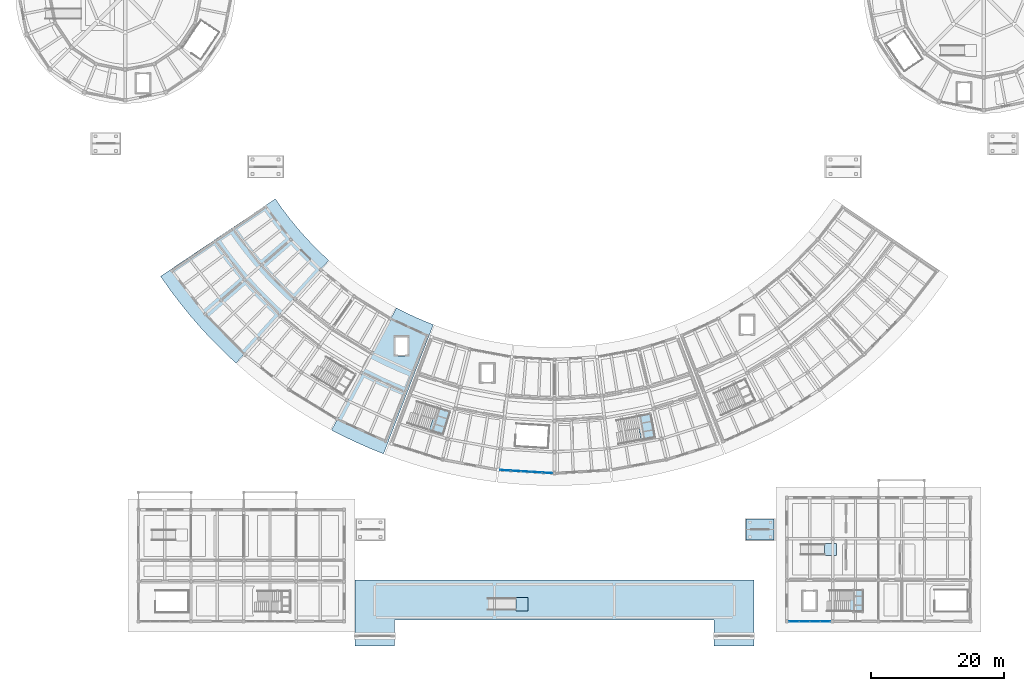
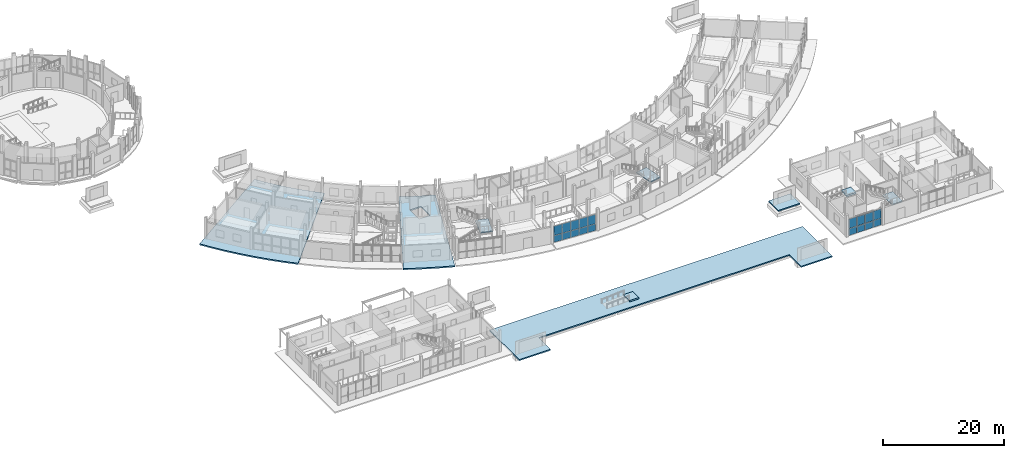
# One storey, part 51 of 92: 18 plates, 9 slabs, 5 elements without a shape of their own.
"""IFC4 building model written with IfcOpenShell, lengths in metres."""

import ifcopenshell
import ifcopenshell.guid

model = None  # the IFC model being written
_history = None  # IfcOwnerHistory: only IFC2X3 demands one
_inside = {}  # id of a spatial element -> (the spatial element, [elements in it])
_under = {}  # id of a project, library or spatial element -> (it, [spatial elements below it])
_declared = {}  # id of a project -> (the project, [libraries it declares])
_typed = {}  # id of a type object -> (the type object, [elements of that type])
_made_of = {}  # id of a material, layer set ... -> (it, [elements and type objects made of it])


def new_model(schema):
    """Start an empty IFC model of exactly this schema.

    Asked for "IFC4X3", IfcOpenShell would pick the latest addendum, in which some entities
    have other attributes; the version numbers below select the first issue.
    IFC2X3 requires an IfcOwnerHistory on every rooted entity: one is made here for all.
    """
    global model, _history
    if schema == "IFC4X3":
        model = ifcopenshell.file(schema_version=(4, 3, 0, 0))
    else:
        model = ifcopenshell.file(schema=schema)
    _inside.clear()
    _under.clear()
    _declared.clear()
    _typed.clear()
    _made_of.clear()
    _history = None
    if model.schema == "IFC2X3":
        org = make("IfcOrganization", Name="unknown")
        user = make(
            "IfcPersonAndOrganization",
            ThePerson=make("IfcPerson", FamilyName="unknown"),
            TheOrganization=org,
        )
        app = make(
            "IfcApplication",
            ApplicationDeveloper=org,
            Version="unknown",
            ApplicationFullName="unknown",
            ApplicationIdentifier="unknown",
        )
        _history = make(
            "IfcOwnerHistory",
            OwningUser=user,
            OwningApplication=app,
            ChangeAction="ADDED",
            CreationDate=0,
        )
    return model


def make(cls, **values):
    """One entity of the class cls with the attributes given. An attribute that is None is left unset."""
    return model.create_entity(
        cls, **{name: value for name, value in values.items() if value is not None}
    )


def rooted(cls, **values):
    """An entity with a GlobalId (a new one), such as an element, a storey or a relation."""
    return make(cls, GlobalId=ifcopenshell.guid.new(), OwnerHistory=_history, **values)


def si_unit(unit_type, name, prefix=None):
    """IfcSIUnit, for example si_unit("LENGTHUNIT", "METRE", prefix="MILLI")."""
    return make("IfcSIUnit", UnitType=unit_type, Prefix=prefix, Name=name)


def assignment(units):
    """IfcUnitAssignment: the units of a project."""
    return None if units is None else make("IfcUnitAssignment", Units=units)


def point(xyz):
    """IfcCartesianPoint."""
    return None if xyz is None else make("IfcCartesianPoint", Coordinates=xyz)


def direction(xyz):
    """IfcDirection."""
    return None if xyz is None else make("IfcDirection", DirectionRatios=xyz)


def frame(location, z_axis=None, x_axis=None):
    """IfcAxis2Placement3D, a coordinate frame: its origin and axes. An axis left out is left unset."""
    return make(
        "IfcAxis2Placement3D",
        Location=point(location),
        Axis=direction(z_axis),
        RefDirection=direction(x_axis),
    )


def frame_2d(location, x_axis=None):
    """IfcAxis2Placement2D, a coordinate frame in the plane: its origin and x axis."""
    return make(
        "IfcAxis2Placement2D", Location=point(location), RefDirection=direction(x_axis)
    )


def origin():
    """The frame at (0, 0, 0) with its axes left unset."""
    return frame((0.0, 0.0, 0.0))


def origin_2d():
    """The frame at (0, 0) in the plane with its x axis left unset."""
    return frame_2d((0.0, 0.0))


def place(relative_to, where):
    """IfcLocalPlacement: puts the frame where relative to a parent placement (None: the world)."""
    return make(
        "IfcLocalPlacement", PlacementRelTo=relative_to, RelativePlacement=where
    )


def context(
    kind, dimensions, precision=None, world=None, true_north=None, identifier=None
):
    """IfcGeometricRepresentationContext, for example the 3D "Model" context."""
    return make(
        "IfcGeometricRepresentationContext",
        ContextIdentifier=identifier,
        ContextType=kind,
        CoordinateSpaceDimension=dimensions,
        Precision=precision,
        WorldCoordinateSystem=world,
        TrueNorth=true_north,
    )


def subcontext(parent, identifier, kind, view, scale=None):
    """IfcGeometricRepresentationSubContext, for example "Body" below "Model"."""
    return make(
        "IfcGeometricRepresentationSubContext",
        ContextIdentifier=identifier,
        ContextType=kind,
        ParentContext=parent,
        TargetScale=scale,
        TargetView=view,
    )


def project(units=None, contexts=None):
    """IfcProject with its units and contexts."""
    return rooted(
        "IfcProject",
        Name="project",
        RepresentationContexts=contexts,
        UnitsInContext=assignment(units),
    )


def spatial(cls, under=None, at=None, **own):
    """A site, building, storey or space (cls), placed at a placement, below another one or the project."""
    s = rooted(cls, ObjectPlacement=at, **own)
    if under is not None:
        _under.setdefault(under.id(), (under, []))[1].append(s)
    return s


def polyline(points):
    """IfcPolyline through the points."""
    return make("IfcPolyline", Points=[point(p) for p in points])


def profile(cls, at=None, kind="AREA", **sizes):
    """A parametric profile (cls). Its sizes go by their IFC names, for example OverallWidth=200.0."""
    return make(cls, ProfileType=kind, Position=at, **sizes)


def rectangle(**sizes):
    """IfcRectangleProfileDef."""
    return profile("IfcRectangleProfileDef", **sizes)


def outline(outer, holes=None, kind="AREA"):
    """IfcArbitraryClosedProfileDef: a profile drawn as a closed curve; with holes, ...WithVoids."""
    if holes is None:
        return make("IfcArbitraryClosedProfileDef", ProfileType=kind, OuterCurve=outer)
    return make(
        "IfcArbitraryProfileDefWithVoids",
        ProfileType=kind,
        OuterCurve=outer,
        InnerCurves=holes,
    )


def extrude(swept, where, along, depth):
    """IfcExtrudedAreaSolid: the profile swept, set in the frame where, extruded along a direction by depth."""
    return make(
        "IfcExtrudedAreaSolid",
        SweptArea=swept,
        Position=where,
        ExtrudedDirection=direction(along),
        Depth=depth,
    )


def shape(context_of_items, identifier, shape_type, items):
    """IfcShapeRepresentation: the items that make up one representation, for example the "Body"."""
    return make(
        "IfcShapeRepresentation",
        ContextOfItems=context_of_items,
        RepresentationIdentifier=identifier,
        RepresentationType=shape_type,
        Items=items,
    )


def material(Name=None, Category=None):
    """IfcMaterial."""
    return make("IfcMaterial", Name=Name, Category=Category)


def layer(
    of_material, thickness, ventilated=None, Name=None, Category=None, Priority=None
):
    """IfcMaterialLayer: one layer of a wall or slab, of a material (None: an air gap)."""
    return make(
        "IfcMaterialLayer",
        Material=of_material,
        LayerThickness=thickness,
        IsVentilated=ventilated,
        Name=Name,
        Category=Category,
        Priority=Priority,
    )


def layer_set(layers, Name=None):
    """IfcMaterialLayerSet."""
    return make("IfcMaterialLayerSet", MaterialLayers=layers, LayerSetName=Name)


def made_of(thing, what):
    """Note that an element or type object is made of a material, layer set ...; save() writes the relation."""
    if what is not None:
        _made_of.setdefault(what.id(), (what, []))[1].append(thing)
    return thing


def type_object(cls, material=None, **own):
    """A type object (cls), such as IfcWallType, which elements share."""
    return made_of(rooted(cls, **own), material)


def element(
    cls,
    number,
    at=None,
    inside=None,
    cuts=None,
    type_object=None,
    material=None,
    context=None,
    identifier="Body",
    shape_type=None,
    held_by="IfcProductDefinitionShape",
    body=None,
    shapes=None,
    **own,
):
    """One element of the class cls, such as IfcWall. Its Tag is "e" and its number.

    at: its placement. inside: the storey or other place that contains it. cuts: it is an
    opening in that element (IfcRelVoidsElement). A single representation is given by context,
    identifier, shape_type and body (its items); several are given by shapes. held_by: the class
    of the entity that holds the representations. save() writes the other relations.
    """
    e = rooted(cls, Tag="e%d" % number, ObjectPlacement=at, **own)
    if body is not None:
        shapes = [shape(context, identifier, shape_type, body)]
    if shapes is not None:
        e.Representation = make(held_by, Representations=shapes)
    if inside is not None:
        _inside.setdefault(inside.id(), (inside, []))[1].append(e)
    if cuts is not None:
        rooted(
            "IfcRelVoidsElement", RelatingBuildingElement=cuts, RelatedOpeningElement=e
        )
    if type_object is not None:
        _typed.setdefault(type_object.id(), (type_object, []))[1].append(e)
    return made_of(e, material)


def aggregate(whole, parts):
    """IfcRelAggregates: a whole, such as a stair, and the parts it consists of."""
    return rooted("IfcRelAggregates", RelatingObject=whole, RelatedObjects=parts)


def save(model, path):
    """Write the relations noted so far, then the file.

    IfcRelAggregates (storeys below a building ...), IfcRelContainedInSpatialStructure (elements
    in a storey), IfcRelDefinesByType, IfcRelAssociatesMaterial and IfcRelDeclares: one each for
    every whole, place, type object, material and project.
    """
    for whole, parts in _under.values():
        aggregate(whole, parts)
    for where, things in _inside.values():
        rooted(
            "IfcRelContainedInSpatialStructure",
            RelatedElements=things,
            RelatingStructure=where,
        )
    for kind, things in _typed.values():
        rooted("IfcRelDefinesByType", RelatedObjects=things, RelatingType=kind)
    for what, things in _made_of.values():
        rooted("IfcRelAssociatesMaterial", RelatedObjects=things, RelatingMaterial=what)
    for by, libraries in _declared.values():
        rooted("IfcRelDeclares", RelatingContext=by, RelatedDefinitions=libraries)
    model.write(path)


model = new_model("IFC4")

# Units and contexts
model_context = context("Model", 3, precision=1e-05, world=origin(), true_north=direction((0.0, 1.0)))
body_context = subcontext(model_context, "Body", "Model", "MODEL_VIEW")
ifc_project = project(units=[si_unit("LENGTHUNIT", "METRE"), si_unit("AREAUNIT", "SQUARE_METRE"), si_unit("VOLUMEUNIT", "CUBIC_METRE"), si_unit("PLANEANGLEUNIT", "RADIAN"), si_unit("MASSUNIT", "GRAM", prefix="KILO")], contexts=[model_context])

# Site, building, storey
site_placement = place(None, origin())
site = spatial("IfcSite", under=ifc_project, at=site_placement, CompositionType="ELEMENT")
building_placement = place(site_placement, origin())
building = spatial("IfcBuilding", under=site, at=building_placement, Name="Caldaven Crescent School", CompositionType="ELEMENT")
storey_placement = place(building_placement, origin())
storey = spatial("IfcBuildingStorey", under=building, at=storey_placement, Name="L00", CompositionType="ELEMENT", Elevation=0.0)

# Curtain wall, plates
ifc_material_1 = material(Name="Anodised aluminium AA 6063-T6 and low-E double glazing", Category="aluminium")
ifc_layer_1 = layer(ifc_material_1, 0.169921875)
ifc_layer_set_1 = layer_set([ifc_layer_1], Name="Anodised aluminium AA 6063-T6 and low-E double glazing")
curtain_wall_type_1 = type_object("IfcCurtainWallType", Name="CW-SYS1", PredefinedType="NOTDEFINED", material=ifc_layer_set_1)
curtain_wall_1_placement = place(storey_placement, origin())
curtain_wall_1 = element("IfcCurtainWall", 1, at=curtain_wall_1_placement, inside=storey, type_object=curtain_wall_type_1, Name="CW-L00-081", PredefinedType="NOTDEFINED")
ifc_material_2 = material(Name="Tempered low-E double glazing IGU", Category="glass")
ifc_layer_2 = layer(ifc_material_2, 0.0439453125)
ifc_layer_set_2 = layer_set([ifc_layer_2], Name="Tempered low-E double glazing IGU")
plate_type_1 = type_object("IfcPlateType", Name="PLT-CWP10", PredefinedType="CURTAIN_PANEL", material=ifc_layer_set_2)
plate_1_placement = place(storey_placement, frame((124.00244140625, 4.199951171875, 0.06005859375), z_axis=(0.0, 0.0, 1.0), x_axis=(1.0, 0.0, 0.0)))
plate_1 = element("IfcPlate", 2, at=plate_1_placement, type_object=plate_type_1, Name="CW1 panel 1.1", PredefinedType="CURTAIN_PANEL", context=body_context, shape_type="SweptSolid", body=[
    extrude(rectangle(XDim=1.485107421875, YDim=0.0439453125, at=origin_2d()), origin(), (0.0, 0.0, 1.0), 1.337890625),
])
plate_2_placement = place(storey_placement, frame((124.00244140625, 4.199951171875, 1.4580078125), z_axis=(0.0, 0.0, 1.0), x_axis=(1.0, 0.0, 0.0)))
plate_2 = element("IfcPlate", 3, at=plate_2_placement, type_object=plate_type_1, Name="CW1 panel 1.2", PredefinedType="CURTAIN_PANEL", context=body_context, shape_type="SweptSolid", body=[
    extrude(rectangle(XDim=1.485107421875, YDim=0.0439453125, at=origin_2d()), origin(), (0.0, 0.0, 1.0), 1.882080078125),
])
plate_3_placement = place(storey_placement, frame((125.5625, 4.199951171875, 0.06005859375), z_axis=(0.0, 0.0, 1.0), x_axis=(1.0, 0.0, 0.0)))
plate_3 = element("IfcPlate", 4, at=plate_3_placement, type_object=plate_type_1, Name="CW1 panel 2.1", PredefinedType="CURTAIN_PANEL", context=body_context, shape_type="SweptSolid", body=[
    extrude(rectangle(XDim=1.514892578125, YDim=0.0439453125, at=origin_2d()), origin(), (0.0, 0.0, 1.0), 1.337890625),
])
plate_4_placement = place(storey_placement, frame((125.5625, 4.199951171875, 1.4580078125), z_axis=(0.0, 0.0, 1.0), x_axis=(1.0, 0.0, 0.0)))
plate_4 = element("IfcPlate", 5, at=plate_4_placement, type_object=plate_type_1, Name="CW1 panel 2.2", PredefinedType="CURTAIN_PANEL", context=body_context, shape_type="SweptSolid", body=[
    extrude(rectangle(XDim=1.514892578125, YDim=0.0439453125, at=origin_2d()), origin(), (0.0, 0.0, 1.0), 1.882080078125),
])
plate_5_placement = place(storey_placement, frame((127.137451171875, 4.199951171875, 0.06005859375), z_axis=(0.0, 0.0, 1.0), x_axis=(1.0, 0.0, 0.0)))
plate_5 = element("IfcPlate", 6, at=plate_5_placement, type_object=plate_type_1, Name="CW1 panel 3.1", PredefinedType="CURTAIN_PANEL", context=body_context, shape_type="SweptSolid", body=[
    extrude(rectangle(XDim=1.514892578125, YDim=0.0439453125, at=origin_2d()), origin(), (0.0, 0.0, 1.0), 1.337890625),
])
plate_6_placement = place(storey_placement, frame((127.137451171875, 4.199951171875, 1.4580078125), z_axis=(0.0, 0.0, 1.0), x_axis=(1.0, 0.0, 0.0)))
plate_6 = element("IfcPlate", 7, at=plate_6_placement, type_object=plate_type_1, Name="CW1 panel 3.2", PredefinedType="CURTAIN_PANEL", context=body_context, shape_type="SweptSolid", body=[
    extrude(rectangle(XDim=1.514892578125, YDim=0.0439453125, at=origin_2d()), origin(), (0.0, 0.0, 1.0), 1.882080078125),
])
plate_7_placement = place(storey_placement, frame((128.697509765625, 4.199951171875, 0.06005859375), z_axis=(0.0, 0.0, 1.0), x_axis=(1.0, 0.0, 0.0)))
plate_7 = element("IfcPlate", 8, at=plate_7_placement, type_object=plate_type_1, Name="CW1 panel 4.1", PredefinedType="CURTAIN_PANEL", context=body_context, shape_type="SweptSolid", body=[
    extrude(rectangle(XDim=1.485107421875, YDim=0.0439453125, at=origin_2d()), origin(), (0.0, 0.0, 1.0), 1.337890625),
])
plate_8_placement = place(storey_placement, frame((128.697509765625, 4.199951171875, 1.4580078125), z_axis=(0.0, 0.0, 1.0), x_axis=(1.0, 0.0, 0.0)))
plate_8 = element("IfcPlate", 9, at=plate_8_placement, type_object=plate_type_1, Name="CW1 panel 4.2", PredefinedType="CURTAIN_PANEL", context=body_context, shape_type="SweptSolid", body=[
    extrude(rectangle(XDim=1.485107421875, YDim=0.0439453125, at=origin_2d()), origin(), (0.0, 0.0, 1.0), 1.882080078125),
])
aggregate(curtain_wall_1, [plate_1, plate_2, plate_3, plate_4, plate_5, plate_6, plate_7, plate_8])

ifc_layer_3 = layer(ifc_material_1, 0.2099609375)
ifc_layer_set_3 = layer_set([ifc_layer_3], Name="Anodised aluminium AA 6063-T6 and low-E double glazing")
curtain_wall_type_2 = type_object("IfcCurtainWallType", Name="CW-SYS3", PredefinedType="NOTDEFINED", material=ifc_layer_set_3)
curtain_wall_2_placement = place(storey_placement, origin())
curtain_wall_2 = element("IfcCurtainWall", 10, at=curtain_wall_2_placement, inside=storey, type_object=curtain_wall_type_2, Name="CW-L00-110", PredefinedType="NOTDEFINED")
ifc_layer_4 = layer(ifc_material_2, 0.053955078125)
ifc_layer_set_4 = layer_set([ifc_layer_4], Name="Tempered low-E double glazing IGU")
plate_type_2 = type_object("IfcPlateType", Name="PLT-CWP15", PredefinedType="CURTAIN_PANEL", material=ifc_layer_set_4)
plate_9_placement = place(storey_placement, frame((80.62744140625, 26.90087890625, 0.06982421875), z_axis=(0.0, 0.0, 1.0), x_axis=(0.998134766843, -0.061049055851, 0.0)))
plate_9 = element("IfcPlate", 11, at=plate_9_placement, type_object=plate_type_2, Name="CW3 panel 1.1", PredefinedType="CURTAIN_PANEL", context=body_context, shape_type="SweptSolid", body=[
    extrude(rectangle(XDim=1.48095703125, YDim=0.053955078125, at=origin_2d()), origin(), (0.0, 0.0, 1.0), 1.322998046875),
])
plate_10_placement = place(storey_placement, frame((80.62744140625, 26.90087890625, 1.462890625), z_axis=(0.0, 0.0, 1.0), x_axis=(0.998134766843, -0.061049055851, 0.0)))
plate_10 = element("IfcPlate", 12, at=plate_10_placement, type_object=plate_type_2, Name="CW3 panel 1.2", PredefinedType="CURTAIN_PANEL", context=body_context, shape_type="SweptSolid", body=[
    extrude(rectangle(XDim=1.48095703125, YDim=0.053955078125, at=origin_2d()), origin(), (0.0, 0.0, 1.0), 1.866943359375),
])
plate_11_placement = place(storey_placement, frame((82.1865234375, 26.8056640625, 0.06982421875), z_axis=(0.0, 0.0, 1.0), x_axis=(0.998134766843, -0.061049055851, 0.0)))
plate_11 = element("IfcPlate", 13, at=plate_11_placement, type_object=plate_type_2, Name="CW3 panel 2.1", PredefinedType="CURTAIN_PANEL", context=body_context, shape_type="SweptSolid", body=[
    extrude(rectangle(XDim=1.513427734375, YDim=0.053955078125, at=origin_2d()), origin(), (0.0, 0.0, 1.0), 1.322998046875),
])
plate_12_placement = place(storey_placement, frame((82.1865234375, 26.8056640625, 1.462890625), z_axis=(0.0, 0.0, 1.0), x_axis=(0.998134766843, -0.061049055851, 0.0)))
plate_12 = element("IfcPlate", 14, at=plate_12_placement, type_object=plate_type_2, Name="CW3 panel 2.2", PredefinedType="CURTAIN_PANEL", context=body_context, shape_type="SweptSolid", body=[
    extrude(rectangle(XDim=1.513427734375, YDim=0.053955078125, at=origin_2d()), origin(), (0.0, 0.0, 1.0), 1.866943359375),
])
plate_13_placement = place(storey_placement, frame((83.761962890625, 26.709228515625, 0.06982421875), z_axis=(0.0, 0.0, 1.0), x_axis=(0.998134766843, -0.061049055851, 0.0)))
plate_13 = element("IfcPlate", 15, at=plate_13_placement, type_object=plate_type_2, Name="CW3 panel 3.1", PredefinedType="CURTAIN_PANEL", context=body_context, shape_type="SweptSolid", body=[
    extrude(rectangle(XDim=1.513427734375, YDim=0.053955078125, at=origin_2d()), origin(), (0.0, 0.0, 1.0), 1.322998046875),
])
plate_14_placement = place(storey_placement, frame((83.761962890625, 26.709228515625, 1.462890625), z_axis=(0.0, 0.0, 1.0), x_axis=(0.998134766843, -0.061049055851, 0.0)))
plate_14 = element("IfcPlate", 16, at=plate_14_placement, type_object=plate_type_2, Name="CW3 panel 3.2", PredefinedType="CURTAIN_PANEL", context=body_context, shape_type="SweptSolid", body=[
    extrude(rectangle(XDim=1.513427734375, YDim=0.053955078125, at=origin_2d()), origin(), (0.0, 0.0, 1.0), 1.866943359375),
])
plate_15_placement = place(storey_placement, frame((85.33740234375, 26.61279296875, 0.06982421875), z_axis=(0.0, 0.0, 1.0), x_axis=(0.998134766843, -0.061049055851, 0.0)))
plate_15 = element("IfcPlate", 17, at=plate_15_placement, type_object=plate_type_2, Name="CW3 panel 4.1", PredefinedType="CURTAIN_PANEL", context=body_context, shape_type="SweptSolid", body=[
    extrude(rectangle(XDim=1.513427734375, YDim=0.053955078125, at=origin_2d()), origin(), (0.0, 0.0, 1.0), 1.322998046875),
])
plate_16_placement = place(storey_placement, frame((85.33740234375, 26.61279296875, 1.462890625), z_axis=(0.0, 0.0, 1.0), x_axis=(0.998134766843, -0.061049055851, 0.0)))
plate_16 = element("IfcPlate", 18, at=plate_16_placement, type_object=plate_type_2, Name="CW3 panel 4.2", PredefinedType="CURTAIN_PANEL", context=body_context, shape_type="SweptSolid", body=[
    extrude(rectangle(XDim=1.513427734375, YDim=0.053955078125, at=origin_2d()), origin(), (0.0, 0.0, 1.0), 1.866943359375),
])
plate_17_placement = place(storey_placement, frame((86.896728515625, 26.517578125, 0.06982421875), z_axis=(0.0, 0.0, 1.0), x_axis=(0.998134766843, -0.061049055851, 0.0)))
plate_17 = element("IfcPlate", 19, at=plate_17_placement, type_object=plate_type_2, Name="CW3 panel 5.1", PredefinedType="CURTAIN_PANEL", context=body_context, shape_type="SweptSolid", body=[
    extrude(rectangle(XDim=1.48095703125, YDim=0.053955078125, at=origin_2d()), origin(), (0.0, 0.0, 1.0), 1.322998046875),
])
plate_18_placement = place(storey_placement, frame((86.896728515625, 26.517578125, 1.462890625), z_axis=(0.0, 0.0, 1.0), x_axis=(0.998134766843, -0.061049055851, 0.0)))
plate_18 = element("IfcPlate", 20, at=plate_18_placement, type_object=plate_type_2, Name="CW3 panel 5.2", PredefinedType="CURTAIN_PANEL", context=body_context, shape_type="SweptSolid", body=[
    extrude(rectangle(XDim=1.48095703125, YDim=0.053955078125, at=origin_2d()), origin(), (0.0, 0.0, 1.0), 1.866943359375),
])
aggregate(curtain_wall_2, [plate_9, plate_10, plate_11, plate_12, plate_13, plate_14, plate_15, plate_16, plate_17, plate_18])

# Slabs
ifc_material_3 = material(Name="Concrete C30/37", Category="concrete")
ifc_layer_5 = layer(ifc_material_3, 0.239990234375)
ifc_layer_set_5 = layer_set([ifc_layer_5], Name="Concrete C30/37")
slab_type_1 = type_object("IfcSlabType", Name="SLB-BS2", PredefinedType="BASESLAB", material=ifc_layer_set_5)
slab_1_placement = place(storey_placement, frame((0.0, 0.0, -0.239990234375)))
element("IfcSlab", 21, at=slab_1_placement, inside=storey, type_object=slab_type_1, Name="SLB-L00-LOOP", PredefinedType="BASESLAB", context=body_context, shape_type="SweptSolid", body=[
    extrude(outline(polyline([(58.0, 0.5), (64.0, 0.5), (64.0, 4.39990234375), (112.0, 4.39990234375), (112.0, 0.5), (118.0, 0.5), (118.0, 10.39990234375), (58.0, 10.39990234375), (58.0, 0.5)])), origin(), (0.0, 0.0, 1.0), 0.239990234375),
])
slab_2_placement = place(storey_placement, frame((0.0, 0.0, -0.239990234375)))
element("IfcSlab", 22, at=slab_2_placement, inside=storey, type_object=slab_type_1, Name="SLB-GATE-CG4", PredefinedType="BASESLAB", context=body_context, shape_type="SweptSolid", body=[
    extrude(outline(polyline([(116.800048828125, 16.39990234375), (121.0, 16.39990234375), (121.0, 19.60009765625), (116.800048828125, 19.60009765625), (116.800048828125, 16.39990234375)])), origin(), (0.0, 0.0, 1.0), 0.239990234375),
])
ifc_material_4 = material(Name="Concrete C35/45", Category="concrete")
ifc_layer_6 = layer(ifc_material_4, 0.260009765625)
ifc_layer_set_6 = layer_set([ifc_layer_6], Name="Concrete C35/45")
slab_type_2 = type_object("IfcSlabType", Name="SLB-FS1", PredefinedType="FLOOR", material=ifc_layer_set_6)
slab_3_placement = place(storey_placement, frame((0.0, 0.0, -0.260009765625)))
element("IfcSlab", 23, at=slab_3_placement, inside=storey, type_object=slab_type_2, Name="SLB-V4W-L00-B00", PredefinedType="FLOOR", context=body_context, shape_type="SweptSolid", body=[
    extrude(outline(polyline([(28.81982421875, 56.05419921875), (30.24072265625, 54.026123046875), (31.73095703125, 52.04833984375), (33.288818359375, 50.12353515625), (34.91259765625, 48.25390625), (36.600341796875, 46.441650390625), (38.349609375, 44.689208984375), (40.158935546875, 42.998291015625), (54.095703125, 58.4384765625), (52.813720703125, 59.63671875), (51.57373046875, 60.87890625), (50.3779296875, 62.1630859375), (49.22705078125, 63.488037109375), (48.123046875, 64.852294921875), (47.06689453125, 66.253662109375), (46.06005859375, 67.691162109375), (28.81982421875, 56.05419921875)])), origin(), (0.0, 0.0, 1.0), 0.260009765625),
])
slab_4_placement = place(storey_placement, frame((0.0, 0.0, -0.260009765625)))
element("IfcSlab", 24, at=slab_4_placement, inside=storey, type_object=slab_type_2, Name="SLB-V4W-L00-B04", PredefinedType="FLOOR", context=body_context, shape_type="SweptSolid", body=[
    extrude(outline(polyline([(54.50048828125, 32.946533203125), (56.416748046875, 31.96533203125), (58.361572265625, 31.042236328125), (60.33349609375, 30.177978515625), (62.33056640625, 29.373779296875), (69.80859375, 48.783203125), (68.393310546875, 49.35302734375), (66.995849609375, 49.96533203125), (65.617431640625, 50.61962890625), (64.25927734375, 51.315185546875), (54.50048828125, 32.946533203125)]), holes=[polyline([(63.97607421875, 44.088134765625), (63.97607421875, 47.088134765625), (66.075927734375, 47.088134765625), (66.075927734375, 44.088134765625), (63.97607421875, 44.088134765625)])]), origin(), (0.0, 0.0, 1.0), 0.260009765625),
])

# Stair, slab
ifc_material_5 = material(Name="Precast concrete C30/37", Category="concrete")
stair_type_1 = type_object("IfcStairType", Name="STR-S3", PredefinedType="TWO_STRAIGHT_RUN_STAIR", material=ifc_material_5)
stair_1_placement = place(storey_placement, origin())
stair_1 = element("IfcStair", 25, at=stair_1_placement, inside=storey, type_object=stair_type_1, Name="STAIR-STV3-L00", PredefinedType="TWO_STRAIGHT_RUN_STAIR")
ifc_layer_7 = layer(ifc_material_3, 0.195068359375)
ifc_layer_set_7 = layer_set([ifc_layer_7], Name="Concrete C30/37")
slab_type_3 = type_object("IfcSlabType", Name="SLB-LND2", PredefinedType="LANDING", material=ifc_layer_set_7)
slab_5_placement = place(storey_placement, frame((0.0, 0.0, 2.014892578125)))
slab_5 = element("IfcSlab", 26, at=slab_5_placement, type_object=slab_type_3, Name="STV3-L00 landing 1", PredefinedType="LANDING", context=body_context, shape_type="SweptSolid", body=[
    extrude(outline(polyline([(132.44189453125, 5.68994140625), (134.429931640625, 5.68994140625), (134.429931640625, 8.909912109375), (132.44189453125, 8.909912109375), (132.44189453125, 5.68994140625)])), origin(), (0.0, 0.0, 1.0), 0.195068359375),
])
aggregate(stair_1, [slab_5])

stair_type_2 = type_object("IfcStairType", Name="STR-S6", PredefinedType="TWO_STRAIGHT_RUN_STAIR", material=ifc_material_5)
stair_2_placement = place(storey_placement, origin())
stair_2 = element("IfcStair", 27, at=stair_2_placement, inside=storey, type_object=stair_type_2, Name="STAIR-ST2-L00", PredefinedType="TWO_STRAIGHT_RUN_STAIR")
slab_6_placement = place(storey_placement, frame((0.0, 0.0, 2.014892578125)))
slab_6 = element("IfcSlab", 28, at=slab_6_placement, type_object=slab_type_3, Name="ST2-L00 landing 1", PredefinedType="LANDING", context=body_context, shape_type="SweptSolid", body=[
    extrude(outline(polyline([(69.185791015625, 32.89697265625), (71.281982421875, 32.236083984375), (72.376708984375, 35.70751953125), (70.2802734375, 36.368408203125), (69.185791015625, 32.89697265625)])), origin(), (0.0, 0.0, 1.0), 0.195068359375),
])
aggregate(stair_2, [slab_6])

stair_3_placement = place(storey_placement, origin())
stair_3 = element("IfcStair", 29, at=stair_3_placement, inside=storey, type_object=stair_type_2, Name="STAIR-ST3-L00", PredefinedType="TWO_STRAIGHT_RUN_STAIR")
slab_7_placement = place(storey_placement, frame((0.0, 0.0, 2.014892578125)))
slab_7 = element("IfcSlab", 30, at=slab_7_placement, type_object=slab_type_3, Name="ST3-L00 landing 1", PredefinedType="LANDING", context=body_context, shape_type="SweptSolid", body=[
    extrude(outline(polyline([(101.01318359375, 31.450439453125), (103.17431640625, 31.85107421875), (102.510986328125, 35.43017578125), (100.349853515625, 35.029541015625), (101.01318359375, 31.450439453125)])), origin(), (0.0, 0.0, 1.0), 0.195068359375),
])
aggregate(stair_3, [slab_7])

# Slabs
ifc_layer_8 = layer(ifc_material_3, 0.280029296875)
ifc_layer_set_8 = layer_set([ifc_layer_8], Name="Concrete C30/37")
slab_type_4 = type_object("IfcSlabType", Name="SLB-STG", PredefinedType="FLOOR", material=ifc_layer_set_8)
slab_8_placement = place(storey_placement, origin())
element("IfcSlab", 31, at=slab_8_placement, inside=storey, type_object=slab_type_4, Name="SLB-PLINTH-RMP4", PredefinedType="FLOOR", context=body_context, shape_type="SweptSolid", body=[
    extrude(outline(polyline([(128.60009765625, 14.10009765625), (130.39990234375, 14.10009765625), (130.39990234375, 15.89990234375), (128.60009765625, 15.89990234375), (128.60009765625, 14.10009765625)])), origin(), (0.0, 0.0, 1.0), 0.280029296875),
])
slab_9_placement = place(storey_placement, origin())
element("IfcSlab", 32, at=slab_9_placement, inside=storey, type_object=slab_type_4, Name="SLB-PLINTH-RMP6", PredefinedType="FLOOR", context=body_context, shape_type="SweptSolid", body=[
    extrude(outline(polyline([(82.199951171875, 5.800048828125), (84.0, 5.800048828125), (84.0, 7.800048828125), (82.199951171875, 7.800048828125), (82.199951171875, 5.800048828125)])), origin(), (0.0, 0.0, 1.0), 0.280029296875),
])

save(model, "model.ifc")
